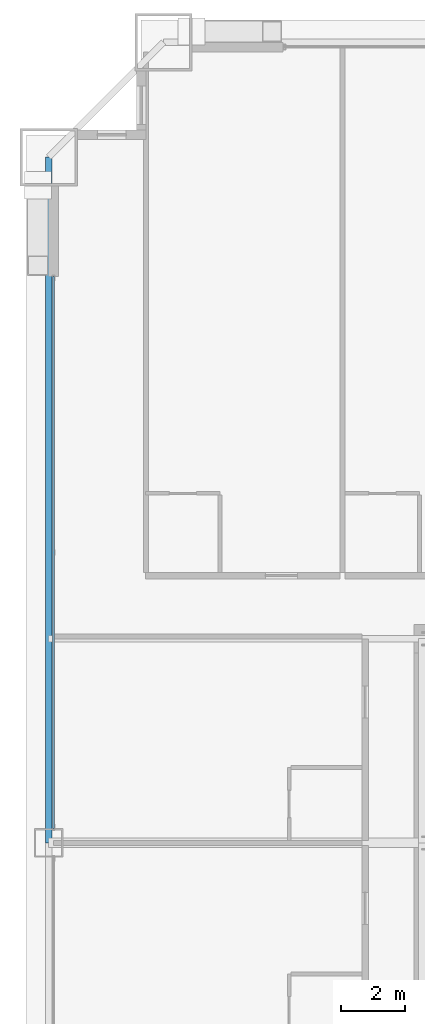
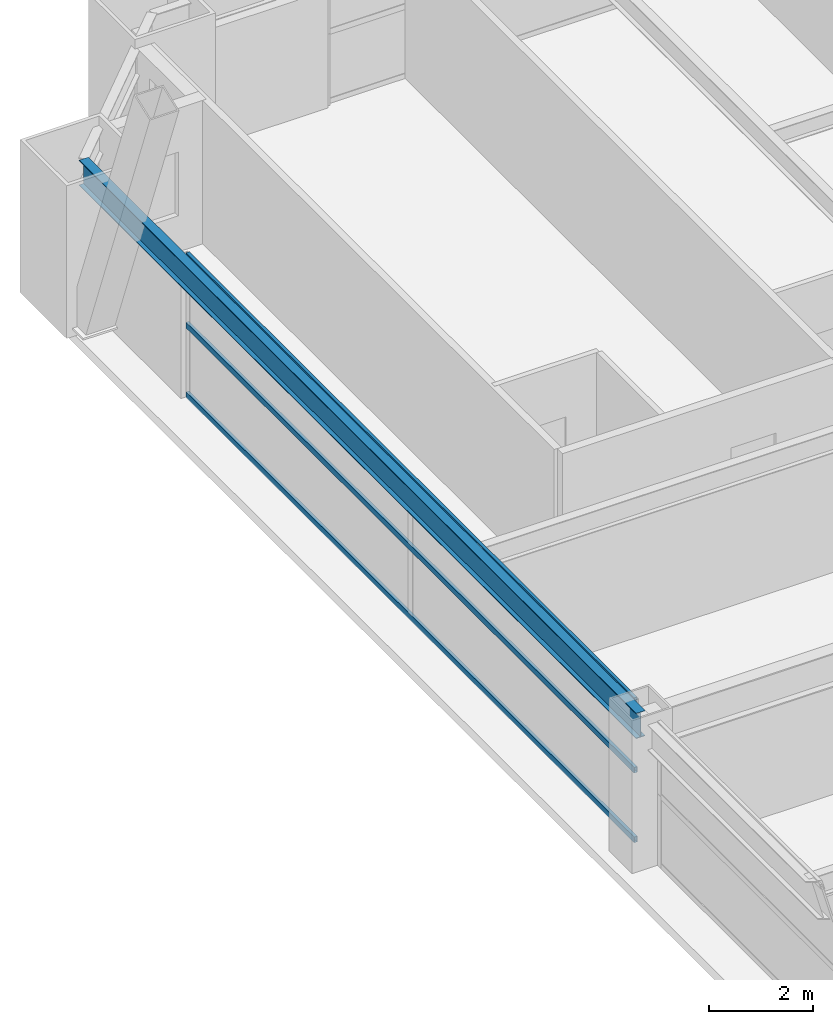
# One storey, part 23 of 43: 3 members, 1 beam, 1 element without a shape of its own.
"""IFC4 building model written with IfcOpenShell, lengths in metres."""

from ifc_helpers import new_model, si_unit, direction, frame, origin, origin_2d, place, context, subcontext, project, spatial, hollow_rectangle, i_section, extrude, source, transform, mapped, material, layer, layer_set, material_profile, profile_set, type_object, element, aggregate, save


model = new_model("IFC4")

# Units and contexts
model_context = context("Model", 3, precision=1e-05, world=origin(), true_north=direction((0.0, 1.0)))
body_context = subcontext(model_context, "Body", "Model", "MODEL_VIEW")
ifc_project = project(units=[si_unit("LENGTHUNIT", "METRE"), si_unit("AREAUNIT", "SQUARE_METRE"), si_unit("VOLUMEUNIT", "CUBIC_METRE"), si_unit("PLANEANGLEUNIT", "RADIAN"), si_unit("MASSUNIT", "GRAM", prefix="KILO"), si_unit("THERMODYNAMICTEMPERATUREUNIT", "KELVIN"), si_unit("POWERUNIT", "WATT")], contexts=[model_context])

# Site, building, storey
site_placement = place(None, origin())
site = spatial("IfcSite", under=ifc_project, at=site_placement, CompositionType="ELEMENT")
building_placement = place(site_placement, origin())
building = spatial("IfcBuilding", under=site, at=building_placement, Name="Yuzanri Waterfront Tower", CompositionType="ELEMENT")
storey_placement = place(building_placement, frame((0.0, 0.0, 53.199951171875)))
storey = spatial("IfcBuildingStorey", under=building, at=storey_placement, Name="L13", CompositionType="ELEMENT", Elevation=53.199951171875)

# Beam
ifc_material_1 = material(Name="Steel Q355B", Category="steel")
ifc_material_profile_1 = material_profile(ifc_material_1, i_section(OverallWidth=0.199951171875, OverallDepth=0.60009765625, WebThickness=0.010986328125, FlangeThickness=0.01708984375, at=origin_2d()), Name="HN 600x200x11x17")
ifc_profile_set_1 = profile_set([ifc_material_profile_1], Name="Steel Q355B")
beam_type = type_object("IfcBeamType", Name="Perimeter Spandrel Q355B HN 600x200", PredefinedType="SPANDREL", material=ifc_profile_set_1)
shared_shape_1 = source(origin(), body_context, "Body", "SweptSolid", [
    extrude(i_section(OverallWidth=0.199951171875, OverallDepth=0.60009765625, WebThickness=0.010986328125, FlangeThickness=0.01708984375, at=origin_2d()), origin(), (0.0, 0.0, 1.0), 21.5),
])
beam_placement = place(storey_placement, frame((11.89990234375, 47.300048828125, 3.080078125), z_axis=(0.0, -1.0, 0.0), x_axis=(1.0, 0.0, 0.0)))
element("IfcBeam", 1, at=beam_placement, inside=storey, type_object=beam_type, Name="L13 Perimeter Spandrel W3-W2", PredefinedType="SPANDREL", context=body_context, shape_type="MappedRepresentation", body=[
    mapped(shared_shape_1, transform((0.0, 0.0, 0.0), scale=1.0)),
])

# Curtain wall, members
ifc_material_2 = material(Name="Anodized Architectural Bronze", Category="metal")
ifc_layer = layer(ifc_material_2, 0.159912109375)
ifc_layer_set = layer_set([ifc_layer], Name="Anodized Architectural Bronze")
curtain_wall_type = type_object("IfcCurtainWallType", Name="Anodized Bronze Hotel Lower-Tier Recessed Unitized Curtain Wall 8100", PredefinedType="NOTDEFINED", material=ifc_layer_set)
curtain_wall_placement = place(storey_placement, origin())
curtain_wall = element("IfcCurtainWall", 2, at=curtain_wall_placement, inside=storey, type_object=curtain_wall_type, Name="L13 Curtain Wall CW-L13-WR", PredefinedType="NOTDEFINED")
ifc_material_3 = material(Name="Anodized Architectural Bronze", Category="metal")
ifc_material_profile_2 = material_profile(ifc_material_3, hollow_rectangle(XDim=0.070068359375, YDim=0.135009765625, WallThickness=0.00341796875, at=origin_2d()), Name="CWT 70x135")
ifc_profile_set_2 = profile_set([ifc_material_profile_2], Name="Anodized Architectural Bronze")
member_type = type_object("IfcMemberType", Name="Anodized Bronze Standard Curtain-Wall Transom 70x135", PredefinedType="USERDEFINED", material=ifc_profile_set_2)
shared_shape_2 = source(origin(), body_context, "Body", "SweptSolid", [
    extrude(hollow_rectangle(XDim=0.070068359375, YDim=0.135009765625, WallThickness=0.00341796875, at=origin_2d()), origin(), (0.0, 0.0, 1.0), 17.300048828125),
])
member_1_placement = place(storey_placement, frame((12.050048828125, 26.25, 0.050048828125), z_axis=(0.0, 1.0, 0.0), x_axis=(-1.0, 0.0, 0.0)))
member_1 = element("IfcMember", 3, at=member_1_placement, type_object=member_type, Name="CW-L13-WR Transom 1", ObjectType="TRANSOM", PredefinedType="USERDEFINED", context=body_context, shape_type="MappedRepresentation", body=[
    mapped(shared_shape_2, transform((0.0, 0.0, 0.0), scale=1.0)),
])
member_2_placement = place(storey_placement, frame((12.050048828125, 26.25, 1.68994140625), z_axis=(0.0, 1.0, 0.0), x_axis=(-1.0, 0.0, 0.0)))
member_2 = element("IfcMember", 4, at=member_2_placement, type_object=member_type, Name="CW-L13-WR Transom 2", ObjectType="TRANSOM", PredefinedType="USERDEFINED", context=body_context, shape_type="MappedRepresentation", body=[
    mapped(shared_shape_2, transform((0.0, 0.0, 0.0), scale=1.0)),
])
member_3_placement = place(storey_placement, frame((12.050048828125, 26.25, 3.330078125), z_axis=(0.0, 1.0, 0.0), x_axis=(-1.0, 0.0, 0.0)))
member_3 = element("IfcMember", 5, at=member_3_placement, type_object=member_type, Name="CW-L13-WR Transom 3", ObjectType="TRANSOM", PredefinedType="USERDEFINED", context=body_context, shape_type="MappedRepresentation", body=[
    mapped(shared_shape_2, transform((0.0, 0.0, 0.0), scale=1.0)),
])
aggregate(curtain_wall, [member_1, member_2, member_3])

save(model, "model.ifc")
